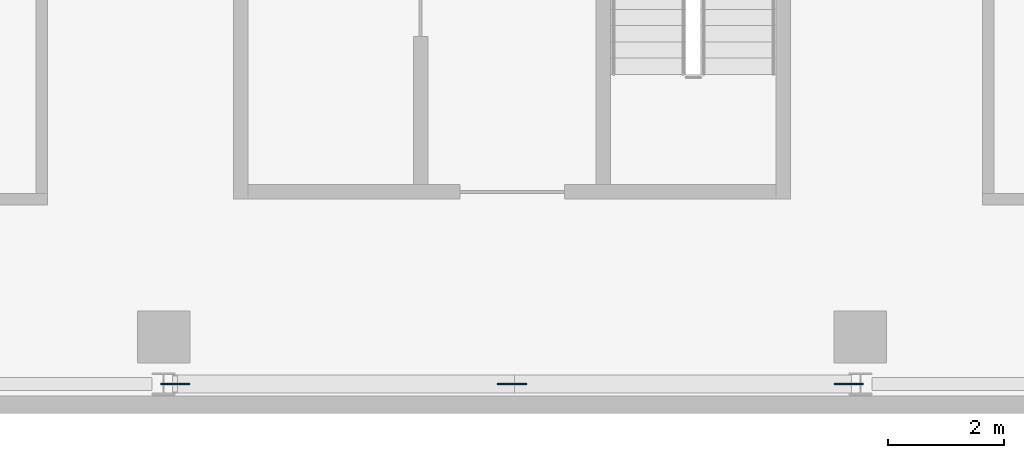
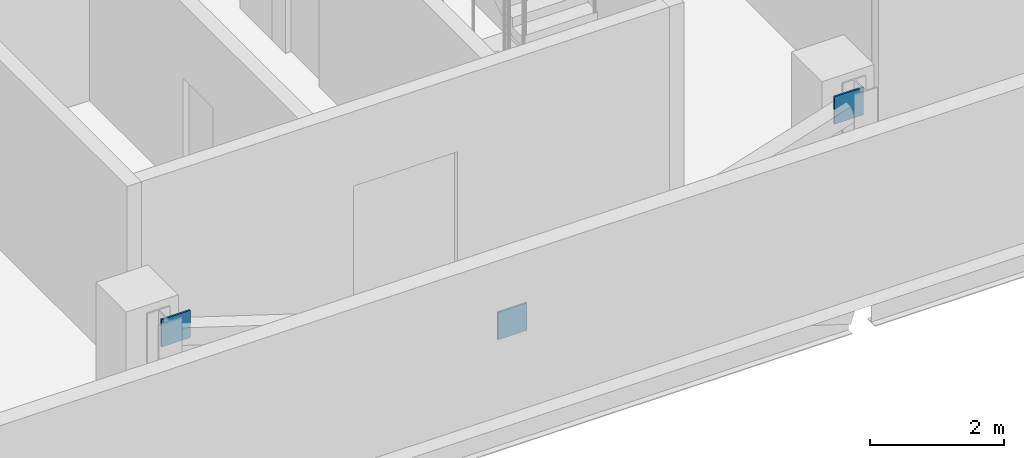
# One storey, part 18 of 25: 3 discrete accessories.
"""IFC4 building model written with IfcOpenShell, lengths in metres."""

from ifc_helpers import new_model, si_unit, direction, frame, origin, origin_2d, place, context, subcontext, project, spatial, rectangle, extrude, material, layer, layer_set, type_object, element, save


model = new_model("IFC4")

# Units and contexts
model_context = context("Model", 3, precision=1e-05, world=origin(), true_north=direction((0.0, 1.0)))
body_context = subcontext(model_context, "Body", "Model", "MODEL_VIEW")
ifc_project = project(units=[si_unit("LENGTHUNIT", "METRE"), si_unit("AREAUNIT", "SQUARE_METRE"), si_unit("VOLUMEUNIT", "CUBIC_METRE"), si_unit("PLANEANGLEUNIT", "RADIAN"), si_unit("MASSUNIT", "GRAM", prefix="KILO")], contexts=[model_context])

# Site, building, storey
site_placement = place(None, origin())
site = spatial("IfcSite", under=ifc_project, at=site_placement, CompositionType="ELEMENT")
building_placement = place(site_placement, origin())
building = spatial("IfcBuilding", under=site, at=building_placement, Name="Mahtab Terrace Research Tower", CompositionType="ELEMENT")
storey_placement = place(building_placement, frame((0.0, 0.0, 278.5)))
storey = spatial("IfcBuildingStorey", under=building, at=storey_placement, Name="L68", CompositionType="ELEMENT", Elevation=278.5)

# Discrete accessories
ifc_material = material(Name="Steel ASTM A992 Gr 50", Category="steel")
ifc_layer = layer(ifc_material, 0.030029296875)
ifc_layer_set = layer_set([ifc_layer], Name="Gusset plate 500x500x30")
discrete_accessory_type = type_object("IfcDiscreteAccessoryType", Name="Gusset plate 500x500x30", PredefinedType="USERDEFINED", material=ifc_layer_set)
for number, where, z_axis, x_axis, name in (
    (1, (-5.802978515625, -12.306884765625, 2.906494140625), (0.0, 0.0, 1.0), (1.0, 0.0, 0.0), "Gusset plate"),
    (2, (0.0, -12.306884765625, 1.006591796875), (0.0, 0.0, 1.0), (1.0, 0.0, 0.0), "Gusset plate"),
    (3, (5.802978515625, -12.306884765625, 2.906494140625), (0.0, 0.0, 1.0), (1.0, 0.0, 0.0), "Gusset plate"),
):
    element("IfcDiscreteAccessory", number, at=place(storey_placement, frame(where, z_axis=z_axis, x_axis=x_axis)), inside=storey, type_object=discrete_accessory_type, Name=name, ObjectType="GUSSET PLATE", PredefinedType="USERDEFINED", context=body_context, shape_type="SweptSolid", body=[
        extrude(rectangle(XDim=0.5, YDim=0.030029296875, at=origin_2d()), origin(), (0.0, 0.0, 1.0), 0.5),
    ])

save(model, "model.ifc")
